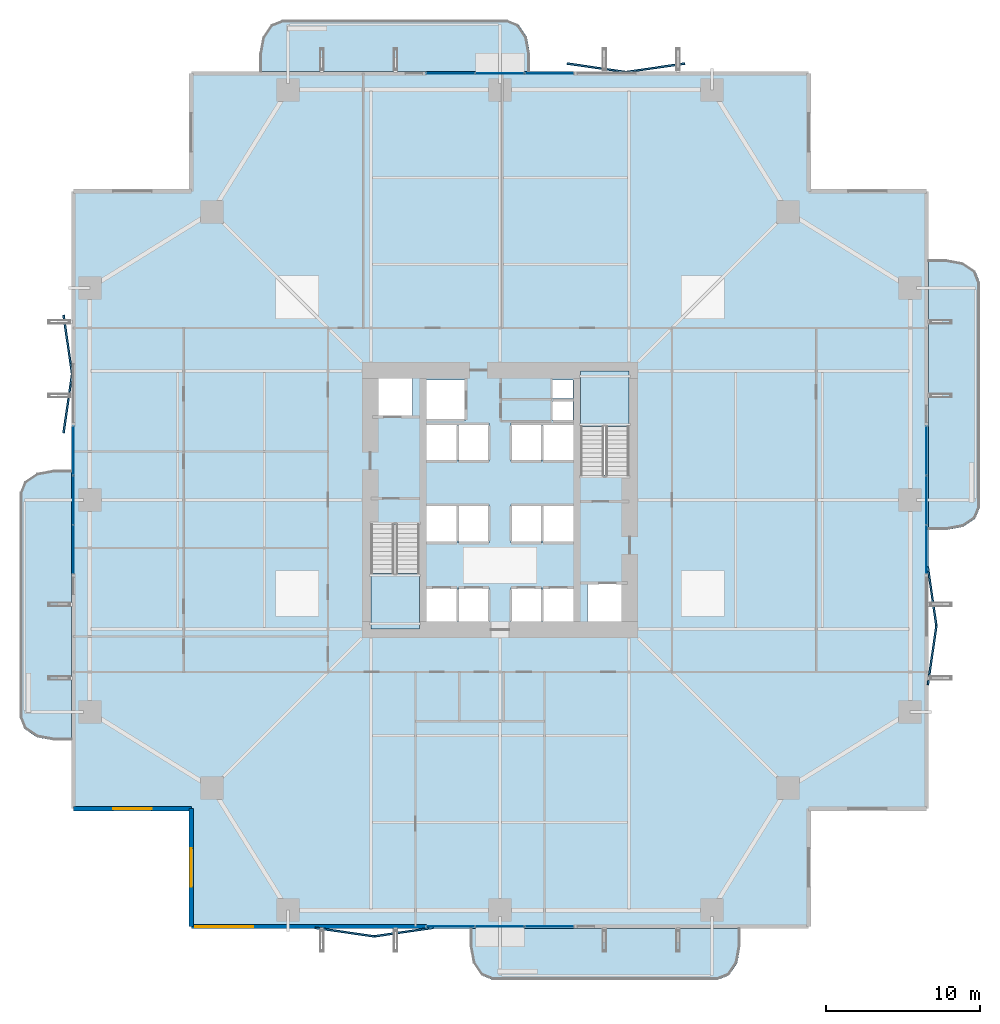
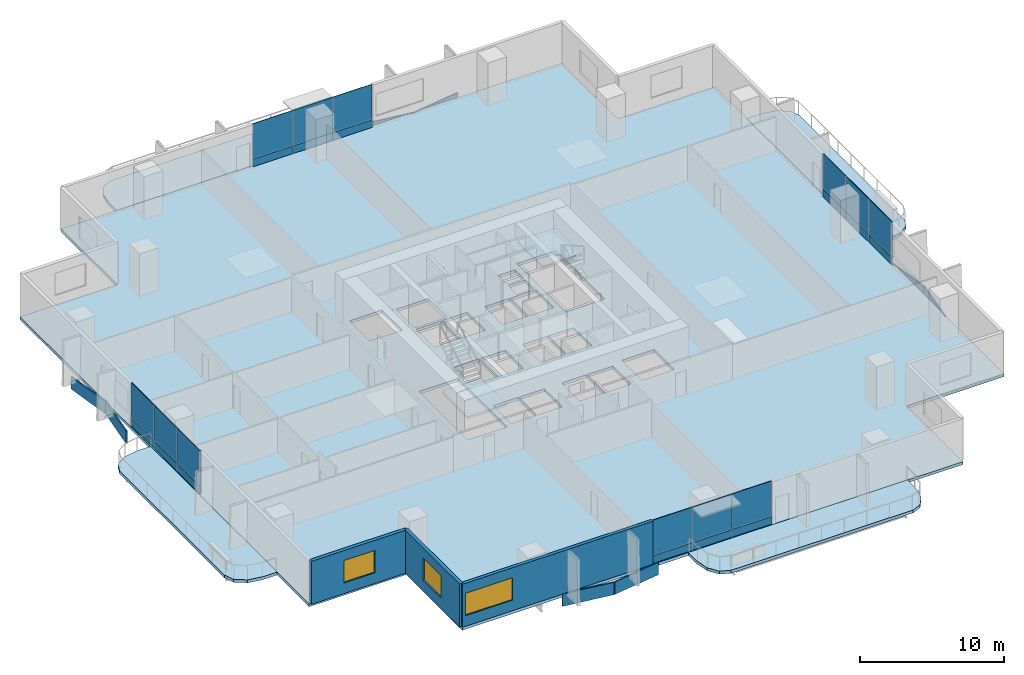
# One storey, part 16 of 24: 32 plates, 7 slabs, 3 walls, 3 windows, 3 openings, 6 elements without a shape of their own.
"""IFC4 building model written with IfcOpenShell, lengths in metres."""

from ifc_helpers import new_model, si_unit, direction, frame, frame_2d, origin, origin_2d, place, context, subcontext, project, spatial, polyline, rectangle, outline, extrude, material, layer, layer_set, type_object, element, fill, aggregate, save


model = new_model("IFC4")

# Units and contexts
model_context = context("Model", 3, precision=1e-05, world=origin(), true_north=direction((0.0, 1.0)))
body_context = subcontext(model_context, "Body", "Model", "MODEL_VIEW")
ifc_project = project(units=[si_unit("LENGTHUNIT", "METRE"), si_unit("AREAUNIT", "SQUARE_METRE"), si_unit("VOLUMEUNIT", "CUBIC_METRE"), si_unit("PLANEANGLEUNIT", "RADIAN"), si_unit("MASSUNIT", "GRAM", prefix="KILO")], contexts=[model_context])

# Site, building, storey
site_placement = place(None, origin())
site = spatial("IfcSite", under=ifc_project, at=site_placement, CompositionType="ELEMENT")
building_placement = place(site_placement, origin())
building = spatial("IfcBuilding", under=site, at=building_placement, Name="Belovzor Exchange Tower", CompositionType="ELEMENT")
storey_placement = place(building_placement, frame((0.0, 0.0, 80.699951171875)))
storey = spatial("IfcBuildingStorey", under=building, at=storey_placement, Name="L19", CompositionType="ELEMENT", Elevation=80.699951171875)

# Slab
ifc_material_1 = material(Name="Concrete C40/50", Category="concrete")
ifc_layer_1 = layer(ifc_material_1, 0.25)
ifc_layer_set_1 = layer_set([ifc_layer_1], Name="Concrete C40/50")
slab_type_1 = type_object("IfcSlabType", Name="Composite Concrete Floor Deck Slab 250", PredefinedType="FLOOR", material=ifc_layer_set_1)
slab_1_placement = place(storey_placement, frame((0.0, 0.0, -0.25)))
element("IfcSlab", 1, at=slab_1_placement, inside=storey, type_object=slab_type_1, Name="SL-F250 Structural Slab L19", PredefinedType="FLOOR", context=body_context, shape_type="SweptSolid", body=[
    extrude(outline(polyline([(8.699951171875, 0.89990234375), (48.89990234375, 0.89990234375), (48.89990234375, 8.699951171875), (56.699951171875, 8.699951171875), (56.699951171875, 48.89990234375), (48.89990234375, 48.89990234375), (48.89990234375, 56.699951171875), (8.699951171875, 56.699951171875), (8.699951171875, 48.89990234375), (0.89990234375, 48.89990234375), (0.89990234375, 8.699951171875), (8.699951171875, 8.699951171875), (8.699951171875, 0.89990234375)]), holes=[polyline([(20.39990234375, 27.175048828125), (20.39990234375, 20.39990234375), (23.550048828125, 20.39990234375), (23.550048828125, 27.175048828125), (20.39990234375, 27.175048828125)]), polyline([(37.199951171875, 30.425048828125), (37.199951171875, 37.199951171875), (34.050048828125, 37.199951171875), (34.050048828125, 30.425048828125), (37.199951171875, 30.425048828125)]), polyline([(20.5, 34.199951171875), (23.10009765625, 34.199951171875), (23.10009765625, 37.0), (20.5, 37.0), (20.5, 34.199951171875)]), polyline([(34.5, 20.60009765625), (37.10009765625, 20.60009765625), (37.10009765625, 23.39990234375), (34.5, 23.39990234375), (34.5, 20.60009765625)]), polyline([(24.0, 34.0), (26.60009765625, 34.0), (26.60009765625, 36.60009765625), (24.0, 36.60009765625), (24.0, 34.0)]), polyline([(24.0, 20.60009765625), (26.0, 20.60009765625), (26.0, 23.10009765625), (24.0, 23.10009765625), (24.0, 20.60009765625)]), polyline([(26.10009765625, 20.60009765625), (28.10009765625, 20.60009765625), (28.10009765625, 23.10009765625), (26.10009765625, 23.10009765625), (26.10009765625, 20.60009765625)]), polyline([(29.5, 20.60009765625), (31.5, 20.60009765625), (31.5, 23.10009765625), (29.5, 23.10009765625), (29.5, 20.60009765625)]), polyline([(31.60009765625, 20.60009765625), (33.60009765625, 20.60009765625), (33.60009765625, 23.10009765625), (31.60009765625, 23.10009765625), (31.60009765625, 20.60009765625)]), polyline([(24.0, 26.0), (26.0, 26.0), (26.0, 28.5), (24.0, 28.5), (24.0, 26.0)]), polyline([(26.10009765625, 26.0), (28.10009765625, 26.0), (28.10009765625, 28.5), (26.10009765625, 28.5), (26.10009765625, 26.0)]), polyline([(29.5, 26.0), (31.5, 26.0), (31.5, 28.5), (29.5, 28.5), (29.5, 26.0)]), polyline([(31.60009765625, 26.0), (33.60009765625, 26.0), (33.60009765625, 28.5), (31.60009765625, 28.5), (31.60009765625, 26.0)]), polyline([(24.0, 31.300048828125), (26.0, 31.300048828125), (26.0, 33.800048828125), (24.0, 33.800048828125), (24.0, 31.300048828125)]), polyline([(26.10009765625, 31.300048828125), (28.10009765625, 31.300048828125), (28.10009765625, 33.800048828125), (26.10009765625, 33.800048828125), (26.10009765625, 31.300048828125)]), polyline([(29.5, 31.300048828125), (31.5, 31.300048828125), (31.5, 33.800048828125), (29.5, 33.800048828125), (29.5, 31.300048828125)]), polyline([(31.60009765625, 31.300048828125), (33.60009765625, 31.300048828125), (33.60009765625, 33.800048828125), (31.60009765625, 33.800048828125), (31.60009765625, 31.300048828125)]), polyline([(32.199951171875, 34.0), (33.550048828125, 34.0), (33.550048828125, 35.199951171875), (32.199951171875, 35.199951171875), (32.199951171875, 34.0)]), polyline([(32.199951171875, 35.39990234375), (33.550048828125, 35.39990234375), (33.550048828125, 36.60009765625), (32.199951171875, 36.60009765625), (32.199951171875, 35.39990234375)])]), origin(), (0.0, 0.0, 1.0), 0.25),
])

# Plates
ifc_material_2 = material(Name="Extruded Architectural Terracotta", Category="masonry")
ifc_layer_2 = layer(ifc_material_2, 0.1201171875)
ifc_layer_set_2 = layer_set([ifc_layer_2], Name="Extruded Architectural Terracotta")
plate_type_1 = type_object("IfcPlateType", Name="Folded Zigzag Terracotta Spandrel Louvre 80", PredefinedType="USERDEFINED", material=ifc_layer_set_2)
for number, where, z_axis, x_axis, name in (
    (2, (18.699951171875, 0.6650390625, -1.03515625), (0.0, 0.0, 1.0), (0.989686419138, -0.143250800258, 0.0), "LVR-ZZ1 Zigzag Terracotta Spandrel Louvre L19 S1A"),
    (3, (22.5, 0.6650390625, -1.03515625), (0.0, 0.0, 1.0), (0.989686419138, 0.143250800258, 0.0), "LVR-ZZ1 Zigzag Terracotta Spandrel Louvre L19 S1B"),
    (4, (56.93505859375, 18.699951171875, -1.03515625), (0.0, 0.0, 1.0), (0.143250800258, 0.989686419138, 0.0), "LVR-ZZ1 Zigzag Terracotta Spandrel Louvre L19 E1A"),
    (5, (56.93505859375, 22.5, -1.03515625), (0.0, 0.0, 1.0), (-0.143250800258, 0.989686419138, 0.0), "LVR-ZZ1 Zigzag Terracotta Spandrel Louvre L19 E1B"),
    (6, (35.10009765625, 56.93505859375, -1.03515625), (0.0, 0.0, 1.0), (0.989686419138, -0.143250800258, 0.0), "LVR-ZZ1 Zigzag Terracotta Spandrel Louvre L19 N2A"),
    (7, (38.89990234375, 56.93505859375, -1.03515625), (0.0, 0.0, 1.0), (0.989686419138, 0.143250800258, 0.0), "LVR-ZZ1 Zigzag Terracotta Spandrel Louvre L19 N2B"),
    (8, (0.6650390625, 35.10009765625, -1.03515625), (0.0, 0.0, 1.0), (0.143250800258, 0.989686419138, 0.0), "LVR-ZZ1 Zigzag Terracotta Spandrel Louvre L19 W2A"),
    (9, (0.6650390625, 38.89990234375, -1.03515625), (0.0, 0.0, 1.0), (-0.143250800258, 0.989686419138, 0.0), "LVR-ZZ1 Zigzag Terracotta Spandrel Louvre L19 W2B"),
):
    element("IfcPlate", number, at=place(storey_placement, frame(where, z_axis=z_axis, x_axis=x_axis)), inside=storey, type_object=plate_type_1, Name=name, ObjectType="SPANDREL_LOUVRE", PredefinedType="USERDEFINED", context=body_context, shape_type="SweptSolid", body=[
        extrude(rectangle(XDim=3.919921875, YDim=0.1201171875, at=origin_2d()), origin(), (0.0, 0.0, 1.0), 1.050048828125),
    ])

# Curtain wall, plates
ifc_material_3 = material(Name="Anodised Aluminium Framing", Category="aluminium")
ifc_layer_3 = layer(ifc_material_3, 0.179931640625)
ifc_layer_set_3 = layer_set([ifc_layer_3], Name="Anodised Aluminium Framing")
curtain_wall_type = type_object("IfcCurtainWallType", Name="Recessed Loggia Low-Iron Triple-Glazed Curtain Wall", PredefinedType="NOTDEFINED", material=ifc_layer_set_3)
curtain_wall_1_placement = place(storey_placement, origin())
curtain_wall_1 = element("IfcCurtainWall", 10, at=curtain_wall_1_placement, inside=storey, type_object=curtain_wall_type, Name="CW3 Recessed Loggia Low-Iron Triple-Glazed Curtain Wall L19", PredefinedType="NOTDEFINED")
ifc_material_4 = material(Name="Solar-Control Triple Glazing", Category="glass")
ifc_layer_4 = layer(ifc_material_4, 0.0439453125)
ifc_layer_set_4 = layer_set([ifc_layer_4], Name="Solar-Control Triple Glazing")
plate_type_2 = type_object("IfcPlateType", Name="Insulated Solar Glazing Curtain Panel 44", PredefinedType="CURTAIN_PANEL", material=ifc_layer_set_4)
plate_1_placement = place(storey_placement, frame((32.0, 1.030029296875, 0.652099609375), z_axis=(0.0, 0.0, 1.0), x_axis=(-1.0, 0.0, 0.0)))
plate_1 = element("IfcPlate", 11, at=plate_1_placement, type_object=plate_type_2, Name="GLZ-44 Glazed Curtain Panel 1", PredefinedType="CURTAIN_PANEL", context=body_context, shape_type="SweptSolid", body=[
    extrude(rectangle(XDim=3.18408203125, YDim=0.0439453125, at=origin_2d()), origin(), (0.0, 0.0, 1.0), 2.998046875),
])
plate_2_placement = place(storey_placement, frame((28.800048828125, 1.030029296875, 0.652099609375), z_axis=(0.0, 0.0, 1.0), x_axis=(-1.0, 0.0, 0.0)))
plate_2 = element("IfcPlate", 12, at=plate_2_placement, type_object=plate_type_2, Name="GLZ-44 Glazed Curtain Panel 2", PredefinedType="CURTAIN_PANEL", context=body_context, shape_type="SweptSolid", body=[
    extrude(rectangle(XDim=3.18408203125, YDim=0.0439453125, at=origin_2d()), origin(), (0.0, 0.0, 1.0), 2.998046875),
])
plate_3_placement = place(storey_placement, frame((25.60009765625, 1.030029296875, 0.652099609375), z_axis=(0.0, 0.0, 1.0), x_axis=(-1.0, 0.0, 0.0)))
plate_3 = element("IfcPlate", 13, at=plate_3_placement, type_object=plate_type_2, Name="GLZ-44 Glazed Curtain Panel 3", PredefinedType="CURTAIN_PANEL", context=body_context, shape_type="SweptSolid", body=[
    extrude(rectangle(XDim=3.18408203125, YDim=0.0439453125, at=origin_2d()), origin(), (0.0, 0.0, 1.0), 2.998046875),
])

curtain_wall_2_placement = place(storey_placement, origin())
curtain_wall_2 = element("IfcCurtainWall", 14, at=curtain_wall_2_placement, inside=storey, type_object=curtain_wall_type, Name="CW3 Recessed Loggia Low-Iron Triple-Glazed Curtain Wall L19", PredefinedType="NOTDEFINED")
plate_4_placement = place(storey_placement, frame((25.60009765625, 56.570068359375, 0.652099609375), z_axis=(0.0, 0.0, 1.0), x_axis=(1.0, 0.0, 0.0)))
plate_4 = element("IfcPlate", 15, at=plate_4_placement, type_object=plate_type_2, Name="GLZ-44 Glazed Curtain Panel 1", PredefinedType="CURTAIN_PANEL", context=body_context, shape_type="SweptSolid", body=[
    extrude(rectangle(XDim=3.18408203125, YDim=0.0439453125, at=origin_2d()), origin(), (0.0, 0.0, 1.0), 2.998046875),
])
plate_5_placement = place(storey_placement, frame((28.800048828125, 56.570068359375, 0.652099609375), z_axis=(0.0, 0.0, 1.0), x_axis=(1.0, 0.0, 0.0)))
plate_5 = element("IfcPlate", 16, at=plate_5_placement, type_object=plate_type_2, Name="GLZ-44 Glazed Curtain Panel 2", PredefinedType="CURTAIN_PANEL", context=body_context, shape_type="SweptSolid", body=[
    extrude(rectangle(XDim=3.18408203125, YDim=0.0439453125, at=origin_2d()), origin(), (0.0, 0.0, 1.0), 2.998046875),
])
plate_6_placement = place(storey_placement, frame((32.0, 56.570068359375, 0.652099609375), z_axis=(0.0, 0.0, 1.0), x_axis=(1.0, 0.0, 0.0)))
plate_6 = element("IfcPlate", 17, at=plate_6_placement, type_object=plate_type_2, Name="GLZ-44 Glazed Curtain Panel 3", PredefinedType="CURTAIN_PANEL", context=body_context, shape_type="SweptSolid", body=[
    extrude(rectangle(XDim=3.18408203125, YDim=0.0439453125, at=origin_2d()), origin(), (0.0, 0.0, 1.0), 2.998046875),
])

curtain_wall_3_placement = place(storey_placement, origin())
curtain_wall_3 = element("IfcCurtainWall", 18, at=curtain_wall_3_placement, inside=storey, type_object=curtain_wall_type, Name="CW3 Recessed Loggia Low-Iron Triple-Glazed Curtain Wall L19", PredefinedType="NOTDEFINED")
plate_7_placement = place(storey_placement, frame((1.030029296875, 25.60009765625, 0.652099609375), z_axis=(0.0, 0.0, 1.0), x_axis=(0.0, 1.0, 0.0)))
plate_7 = element("IfcPlate", 19, at=plate_7_placement, type_object=plate_type_2, Name="GLZ-44 Glazed Curtain Panel 1", PredefinedType="CURTAIN_PANEL", context=body_context, shape_type="SweptSolid", body=[
    extrude(rectangle(XDim=3.18408203125, YDim=0.0439453125, at=origin_2d()), origin(), (0.0, 0.0, 1.0), 2.998046875),
])
plate_8_placement = place(storey_placement, frame((1.030029296875, 28.800048828125, 0.652099609375), z_axis=(0.0, 0.0, 1.0), x_axis=(0.0, 1.0, 0.0)))
plate_8 = element("IfcPlate", 20, at=plate_8_placement, type_object=plate_type_2, Name="GLZ-44 Glazed Curtain Panel 2", PredefinedType="CURTAIN_PANEL", context=body_context, shape_type="SweptSolid", body=[
    extrude(rectangle(XDim=3.18408203125, YDim=0.0439453125, at=origin_2d()), origin(), (0.0, 0.0, 1.0), 2.998046875),
])
plate_9_placement = place(storey_placement, frame((1.030029296875, 32.0, 0.652099609375), z_axis=(0.0, 0.0, 1.0), x_axis=(0.0, 1.0, 0.0)))
plate_9 = element("IfcPlate", 21, at=plate_9_placement, type_object=plate_type_2, Name="GLZ-44 Glazed Curtain Panel 3", PredefinedType="CURTAIN_PANEL", context=body_context, shape_type="SweptSolid", body=[
    extrude(rectangle(XDim=3.18408203125, YDim=0.0439453125, at=origin_2d()), origin(), (0.0, 0.0, 1.0), 2.998046875),
])

curtain_wall_4_placement = place(storey_placement, origin())
curtain_wall_4 = element("IfcCurtainWall", 22, at=curtain_wall_4_placement, inside=storey, type_object=curtain_wall_type, Name="CW3 Recessed Loggia Low-Iron Triple-Glazed Curtain Wall L19", PredefinedType="NOTDEFINED")
plate_10_placement = place(storey_placement, frame((56.570068359375, 32.0, 0.652099609375), z_axis=(0.0, 0.0, 1.0), x_axis=(0.0, -1.0, 0.0)))
plate_10 = element("IfcPlate", 23, at=plate_10_placement, type_object=plate_type_2, Name="GLZ-44 Glazed Curtain Panel 1", PredefinedType="CURTAIN_PANEL", context=body_context, shape_type="SweptSolid", body=[
    extrude(rectangle(XDim=3.18408203125, YDim=0.0439453125, at=origin_2d()), origin(), (0.0, 0.0, 1.0), 2.998046875),
])
plate_11_placement = place(storey_placement, frame((56.570068359375, 28.800048828125, 0.652099609375), z_axis=(0.0, 0.0, 1.0), x_axis=(0.0, -1.0, 0.0)))
plate_11 = element("IfcPlate", 24, at=plate_11_placement, type_object=plate_type_2, Name="GLZ-44 Glazed Curtain Panel 2", PredefinedType="CURTAIN_PANEL", context=body_context, shape_type="SweptSolid", body=[
    extrude(rectangle(XDim=3.18408203125, YDim=0.0439453125, at=origin_2d()), origin(), (0.0, 0.0, 1.0), 2.998046875),
])
plate_12_placement = place(storey_placement, frame((56.570068359375, 25.60009765625, 0.652099609375), z_axis=(0.0, 0.0, 1.0), x_axis=(0.0, -1.0, 0.0)))
plate_12 = element("IfcPlate", 25, at=plate_12_placement, type_object=plate_type_2, Name="GLZ-44 Glazed Curtain Panel 3", PredefinedType="CURTAIN_PANEL", context=body_context, shape_type="SweptSolid", body=[
    extrude(rectangle(XDim=3.18408203125, YDim=0.0439453125, at=origin_2d()), origin(), (0.0, 0.0, 1.0), 2.998046875),
])

# Stair, slab
ifc_material_5 = material(Name="Concrete C40/50", Category="concrete")
stair_type = type_object("IfcStairType", Name="Reinforced Concrete Dogleg Escape Stair 1350", PredefinedType="HALF_TURN_STAIR", material=ifc_material_5)
stair_1_placement = place(storey_placement, origin())
stair_1 = element("IfcStair", 26, at=stair_1_placement, inside=storey, type_object=stair_type, Name="L19 ST-1", PredefinedType="HALF_TURN_STAIR")
ifc_material_6 = material(Name="Concrete C40/50", Category="concrete")
ifc_layer_5 = layer(ifc_material_6, 0.199951171875)
ifc_layer_set_5 = layer_set([ifc_layer_5], Name="Concrete C40/50")
slab_type_2 = type_object("IfcSlabType", Name="Reinforced Concrete Stair Half-Landing Slab 200", PredefinedType="LANDING", material=ifc_layer_set_5)
slab_2_placement = place(storey_placement, frame((0.0, 0.0, 1.75)))
slab_2 = element("IfcSlab", 27, at=slab_2_placement, type_object=slab_type_2, Name="ST-1 landing 1", PredefinedType="LANDING", context=body_context, shape_type="SweptSolid", body=[
    extrude(outline(polyline([(20.39990234375, 24.010009765625), (20.39990234375, 20.39990234375), (23.550048828125, 20.39990234375), (23.550048828125, 24.010009765625), (20.39990234375, 24.010009765625)])), origin(), (0.0, 0.0, 1.0), 0.199951171875),
])
aggregate(stair_1, [slab_2])

stair_2_placement = place(storey_placement, origin())
stair_2 = element("IfcStair", 28, at=stair_2_placement, inside=storey, type_object=stair_type, Name="L19 ST-2", PredefinedType="HALF_TURN_STAIR")
slab_3_placement = place(storey_placement, frame((0.0, 0.0, 1.75)))
slab_3 = element("IfcSlab", 29, at=slab_3_placement, type_object=slab_type_2, Name="ST-2 landing 1", PredefinedType="LANDING", context=body_context, shape_type="SweptSolid", body=[
    extrude(outline(polyline([(37.199951171875, 33.590087890625), (37.199951171875, 37.199951171875), (34.050048828125, 37.199951171875), (34.050048828125, 33.590087890625), (37.199951171875, 33.590087890625)])), origin(), (0.0, 0.0, 1.0), 0.199951171875),
])
aggregate(stair_2, [slab_3])

# Plate
ifc_material_7 = material(Name="Extruded Architectural Terracotta", Category="masonry")
ifc_layer_6 = layer(ifc_material_7, 0.090087890625)
ifc_layer_set_6 = layer_set([ifc_layer_6], Name="Extruded Architectural Terracotta")
plate_type_3 = type_object("IfcPlateType", Name="Terracotta Shadow-Box Spandrel Panel 90", PredefinedType="CURTAIN_PANEL", material=ifc_layer_set_6)
plate_13_placement = place(storey_placement, frame((32.0, 1.030029296875, 0.0), z_axis=(0.0, 0.0, 1.0), x_axis=(-1.0, 0.0, 0.0)))
plate_13 = element("IfcPlate", 30, at=plate_13_placement, type_object=plate_type_3, Name="SPD-90 Spandrel Panel 1", PredefinedType="CURTAIN_PANEL", context=body_context, shape_type="SweptSolid", body=[
    extrude(rectangle(XDim=3.18408203125, YDim=0.090087890625, at=origin_2d()), origin(), (0.0, 0.0, 1.0), 0.64794921875),
])

plate_14_placement = place(storey_placement, frame((28.800048828125, 1.030029296875, 0.0), z_axis=(0.0, 0.0, 1.0), x_axis=(-1.0, 0.0, 0.0)))
plate_14 = element("IfcPlate", 31, at=plate_14_placement, type_object=plate_type_3, Name="SPD-90 Spandrel Panel 2", PredefinedType="CURTAIN_PANEL", context=body_context, shape_type="SweptSolid", body=[
    extrude(rectangle(XDim=3.18408203125, YDim=0.090087890625, at=origin_2d()), origin(), (0.0, 0.0, 1.0), 0.64794921875),
])

plate_15_placement = place(storey_placement, frame((25.60009765625, 1.030029296875, 0.0), z_axis=(0.0, 0.0, 1.0), x_axis=(-1.0, 0.0, 0.0)))
plate_15 = element("IfcPlate", 32, at=plate_15_placement, type_object=plate_type_3, Name="SPD-90 Spandrel Panel 3", PredefinedType="CURTAIN_PANEL", context=body_context, shape_type="SweptSolid", body=[
    extrude(rectangle(XDim=3.18408203125, YDim=0.090087890625, at=origin_2d()), origin(), (0.0, 0.0, 1.0), 0.64794921875),
])

aggregate(curtain_wall_1, [plate_13, plate_1, plate_14, plate_2, plate_15, plate_3])

plate_16_placement = place(storey_placement, frame((25.60009765625, 56.570068359375, 0.0), z_axis=(0.0, 0.0, 1.0), x_axis=(1.0, 0.0, 0.0)))
plate_16 = element("IfcPlate", 33, at=plate_16_placement, type_object=plate_type_3, Name="SPD-90 Spandrel Panel 1", PredefinedType="CURTAIN_PANEL", context=body_context, shape_type="SweptSolid", body=[
    extrude(rectangle(XDim=3.18408203125, YDim=0.090087890625, at=origin_2d()), origin(), (0.0, 0.0, 1.0), 0.64794921875),
])

plate_17_placement = place(storey_placement, frame((28.800048828125, 56.570068359375, 0.0), z_axis=(0.0, 0.0, 1.0), x_axis=(1.0, 0.0, 0.0)))
plate_17 = element("IfcPlate", 34, at=plate_17_placement, type_object=plate_type_3, Name="SPD-90 Spandrel Panel 2", PredefinedType="CURTAIN_PANEL", context=body_context, shape_type="SweptSolid", body=[
    extrude(rectangle(XDim=3.18408203125, YDim=0.090087890625, at=origin_2d()), origin(), (0.0, 0.0, 1.0), 0.64794921875),
])

plate_18_placement = place(storey_placement, frame((32.0, 56.570068359375, 0.0), z_axis=(0.0, 0.0, 1.0), x_axis=(1.0, 0.0, 0.0)))
plate_18 = element("IfcPlate", 35, at=plate_18_placement, type_object=plate_type_3, Name="SPD-90 Spandrel Panel 3", PredefinedType="CURTAIN_PANEL", context=body_context, shape_type="SweptSolid", body=[
    extrude(rectangle(XDim=3.18408203125, YDim=0.090087890625, at=origin_2d()), origin(), (0.0, 0.0, 1.0), 0.64794921875),
])

aggregate(curtain_wall_2, [plate_16, plate_4, plate_17, plate_5, plate_18, plate_6])

plate_19_placement = place(storey_placement, frame((1.030029296875, 25.60009765625, 0.0), z_axis=(0.0, 0.0, 1.0), x_axis=(0.0, 1.0, 0.0)))
plate_19 = element("IfcPlate", 36, at=plate_19_placement, type_object=plate_type_3, Name="SPD-90 Spandrel Panel 1", PredefinedType="CURTAIN_PANEL", context=body_context, shape_type="SweptSolid", body=[
    extrude(rectangle(XDim=3.18408203125, YDim=0.090087890625, at=origin_2d()), origin(), (0.0, 0.0, 1.0), 0.64794921875),
])

plate_20_placement = place(storey_placement, frame((1.030029296875, 28.800048828125, 0.0), z_axis=(0.0, 0.0, 1.0), x_axis=(0.0, 1.0, 0.0)))
plate_20 = element("IfcPlate", 37, at=plate_20_placement, type_object=plate_type_3, Name="SPD-90 Spandrel Panel 2", PredefinedType="CURTAIN_PANEL", context=body_context, shape_type="SweptSolid", body=[
    extrude(rectangle(XDim=3.18408203125, YDim=0.090087890625, at=origin_2d()), origin(), (0.0, 0.0, 1.0), 0.64794921875),
])

plate_21_placement = place(storey_placement, frame((1.030029296875, 32.0, 0.0), z_axis=(0.0, 0.0, 1.0), x_axis=(0.0, 1.0, 0.0)))
plate_21 = element("IfcPlate", 38, at=plate_21_placement, type_object=plate_type_3, Name="SPD-90 Spandrel Panel 3", PredefinedType="CURTAIN_PANEL", context=body_context, shape_type="SweptSolid", body=[
    extrude(rectangle(XDim=3.18408203125, YDim=0.090087890625, at=origin_2d()), origin(), (0.0, 0.0, 1.0), 0.64794921875),
])

aggregate(curtain_wall_3, [plate_19, plate_7, plate_20, plate_8, plate_21, plate_9])

plate_22_placement = place(storey_placement, frame((56.570068359375, 32.0, 0.0), z_axis=(0.0, 0.0, 1.0), x_axis=(0.0, -1.0, 0.0)))
plate_22 = element("IfcPlate", 39, at=plate_22_placement, type_object=plate_type_3, Name="SPD-90 Spandrel Panel 1", PredefinedType="CURTAIN_PANEL", context=body_context, shape_type="SweptSolid", body=[
    extrude(rectangle(XDim=3.18408203125, YDim=0.090087890625, at=origin_2d()), origin(), (0.0, 0.0, 1.0), 0.64794921875),
])

plate_23_placement = place(storey_placement, frame((56.570068359375, 28.800048828125, 0.0), z_axis=(0.0, 0.0, 1.0), x_axis=(0.0, -1.0, 0.0)))
plate_23 = element("IfcPlate", 40, at=plate_23_placement, type_object=plate_type_3, Name="SPD-90 Spandrel Panel 2", PredefinedType="CURTAIN_PANEL", context=body_context, shape_type="SweptSolid", body=[
    extrude(rectangle(XDim=3.18408203125, YDim=0.090087890625, at=origin_2d()), origin(), (0.0, 0.0, 1.0), 0.64794921875),
])

plate_24_placement = place(storey_placement, frame((56.570068359375, 25.60009765625, 0.0), z_axis=(0.0, 0.0, 1.0), x_axis=(0.0, -1.0, 0.0)))
plate_24 = element("IfcPlate", 41, at=plate_24_placement, type_object=plate_type_3, Name="SPD-90 Spandrel Panel 3", PredefinedType="CURTAIN_PANEL", context=body_context, shape_type="SweptSolid", body=[
    extrude(rectangle(XDim=3.18408203125, YDim=0.090087890625, at=origin_2d()), origin(), (0.0, 0.0, 1.0), 0.64794921875),
])

aggregate(curtain_wall_4, [plate_22, plate_10, plate_23, plate_11, plate_24, plate_12])

# Slabs
ifc_material_8 = material(Name="Concrete C40/50", Category="concrete")
ifc_layer_7 = layer(ifc_material_8, 0.25)
ifc_layer_set_7 = layer_set([ifc_layer_7], Name="Concrete C40/50")
slab_type_3 = type_object("IfcSlabType", Name="Thermally Broken Planted Balcony Slab 250", PredefinedType="FLOOR", material=ifc_layer_set_7)
slab_4_placement = place(storey_placement, frame((0.0, 0.0, -0.25)))
element("IfcSlab", 42, at=slab_4_placement, inside=storey, type_object=slab_type_3, Name="SL-BAL220 Planted Balcony Loggia L19 South", PredefinedType="FLOOR", context=body_context, shape_type="SweptSolid", body=[
    extrude(outline(polyline([(26.85009765625, 0.9150390625), (26.85009765625, -0.25), (27.051025390625, -1.35009765625), (27.60009765625, -2.155029296875), (28.35009765625, -2.449951171875), (42.949951171875, -2.449951171875), (43.699951171875, -2.155029296875), (44.2490234375, -1.35009765625), (44.449951171875, -0.25), (44.449951171875, 0.9150390625), (26.85009765625, 0.9150390625)])), origin(), (0.0, 0.0, 1.0), 0.25),
])
slab_5_placement = place(storey_placement, frame((0.0, 0.0, -0.25)))
element("IfcSlab", 43, at=slab_5_placement, inside=storey, type_object=slab_type_3, Name="SL-BAL220 Planted Balcony Loggia L19 North", PredefinedType="FLOOR", context=body_context, shape_type="SweptSolid", body=[
    extrude(outline(polyline([(30.75, 56.68505859375), (30.75, 57.85009765625), (30.549072265625, 58.949951171875), (30.0, 59.7548828125), (29.25, 60.050048828125), (14.64990234375, 60.050048828125), (13.89990234375, 59.7548828125), (13.35107421875, 58.949951171875), (13.14990234375, 57.85009765625), (13.14990234375, 56.68505859375), (30.75, 56.68505859375)])), origin(), (0.0, 0.0, 1.0), 0.25),
])
slab_6_placement = place(storey_placement, frame((0.0, 0.0, -0.25)))
element("IfcSlab", 44, at=slab_6_placement, inside=storey, type_object=slab_type_3, Name="SL-BAL220 Planted Balcony Loggia L19 East", PredefinedType="FLOOR", context=body_context, shape_type="SweptSolid", body=[
    extrude(outline(polyline([(56.68505859375, 26.85009765625), (57.85009765625, 26.85009765625), (58.949951171875, 27.051025390625), (59.7548828125, 27.60009765625), (60.050048828125, 28.35009765625), (60.050048828125, 42.949951171875), (59.7548828125, 43.699951171875), (58.949951171875, 44.2490234375), (57.85009765625, 44.449951171875), (56.68505859375, 44.449951171875), (56.68505859375, 26.85009765625)])), origin(), (0.0, 0.0, 1.0), 0.25),
])
slab_7_placement = place(storey_placement, frame((0.0, 0.0, -0.25)))
element("IfcSlab", 45, at=slab_7_placement, inside=storey, type_object=slab_type_3, Name="SL-BAL220 Planted Balcony Loggia L19 West", PredefinedType="FLOOR", context=body_context, shape_type="SweptSolid", body=[
    extrude(outline(polyline([(0.9150390625, 30.75), (-0.25, 30.75), (-1.35009765625, 30.549072265625), (-2.155029296875, 30.0), (-2.449951171875, 29.25), (-2.449951171875, 14.64990234375), (-2.155029296875, 13.89990234375), (-1.35009765625, 13.35107421875), (-0.25, 13.14990234375), (0.9150390625, 13.14990234375), (0.9150390625, 30.75)])), origin(), (0.0, 0.0, 1.0), 0.25),
])

# Wall, opening, window
ifc_material_9 = material(Name="Precast concrete C40/50", Category="concrete")
ifc_layer_8 = layer(ifc_material_9, 0.280029296875)
ifc_layer_set_8 = layer_set([ifc_layer_8], Name="Precast concrete C40/50")
wall_type_1 = type_object("IfcWallType", Name="Precast Concrete Notched Corner Frame Wall 280", PredefinedType="SOLIDWALL", material=ifc_layer_set_8)
wall_1_placement = place(storey_placement, frame((8.699951171875, 1.030029296875, 0.0), z_axis=(0.0, 0.0, 1.0), x_axis=(0.0, 1.0, 0.0)))
wall_1 = element("IfcWall", 46, at=wall_1_placement, inside=storey, type_object=wall_type_1, Name="W-CRN280 Precast Concrete Notched Corner Frame Wall 280 L19", PredefinedType="SOLIDWALL", context=body_context, shape_type="SweptSolid", body=[
    extrude(rectangle(XDim=7.669921875, YDim=0.280029296875, at=frame_2d((3.8349609375, 0.0))), origin(), (0.0, 0.0, 1.0), 3.650146484375),
])
opening_1_placement = place(wall_1_placement, frame((2.5849609375, 0.0, 0.89990234375)))
opening_1 = element("IfcOpeningElement", 47, at=opening_1_placement, cuts=wall_1, Name="Opening WN-CRN250", PredefinedType="OPENING", context=body_context, shape_type="SweptSolid", body=[
    extrude(rectangle(XDim=2.5, YDim=1.89990234375, at=frame_2d((1.25, 0.949951171875))), frame((0.0, 0.14990234375, 0.0), z_axis=(0.0, -1.0, 0.0), x_axis=(1.0, 0.0, 0.0)), (0.0, 0.0, 1.0), 0.300048828125),
])
ifc_material_10 = material(Name="Thermally Broken Aluminium and Triple Glazing", Category="aluminium")
window_type_1 = type_object("IfcWindowType", Name="Streamline Moderne Corner Wrap Ribbon Window 2500x1900", PartitioningType="SINGLE_PANEL", PredefinedType="WINDOW", material=ifc_material_10)
window_1_placement = place(opening_1_placement, origin())
window_1 = element("IfcWindow", 48, at=window_1_placement, inside=storey, type_object=window_type_1, Name="WN-CRN250 Streamline Moderne Corner Wrap Ribbon Window 2500x1900", OverallHeight=1.89990234375, OverallWidth=2.5, PartitioningType="SINGLE_PANEL", PredefinedType="WINDOW", context=body_context, shape_type="SweptSolid", body=[
    extrude(rectangle(XDim=2.5, YDim=1.89990234375, at=frame_2d((1.25, 0.949951171875))), frame((0.0, 0.030029296875, 0.0), z_axis=(0.0, -1.0, 0.0), x_axis=(1.0, 0.0, 0.0)), (0.0, 0.0, 1.0), 0.06005859375),
])
fill(opening_1, window_1)

wall_2_placement = place(storey_placement, frame((8.699951171875, 8.699951171875, 0.0), z_axis=(0.0, 0.0, 1.0), x_axis=(-1.0, 0.0, 0.0)))
wall_2 = element("IfcWall", 49, at=wall_2_placement, inside=storey, type_object=wall_type_1, Name="W-CRN280 Precast Concrete Notched Corner Frame Wall 280 L19", PredefinedType="SOLIDWALL", context=body_context, shape_type="SweptSolid", body=[
    extrude(rectangle(XDim=7.669921875, YDim=0.280029296875, at=frame_2d((3.8349609375, 0.0))), origin(), (0.0, 0.0, 1.0), 3.650146484375),
])
opening_2_placement = place(wall_2_placement, frame((2.5849609375, 0.0, 0.89990234375)))
opening_2 = element("IfcOpeningElement", 50, at=opening_2_placement, cuts=wall_2, Name="Opening WN-CRN250", PredefinedType="OPENING", context=body_context, shape_type="SweptSolid", body=[
    extrude(rectangle(XDim=2.5, YDim=1.89990234375, at=frame_2d((1.25, 0.949951171875))), frame((0.0, 0.14990234375, 0.0), z_axis=(0.0, -1.0, 0.0), x_axis=(1.0, 0.0, 0.0)), (0.0, 0.0, 1.0), 0.300048828125),
])
window_2_placement = place(opening_2_placement, origin())
window_2 = element("IfcWindow", 51, at=window_2_placement, inside=storey, type_object=window_type_1, Name="WN-CRN250 Streamline Moderne Corner Wrap Ribbon Window 2500x1900", OverallHeight=1.89990234375, OverallWidth=2.5, PartitioningType="SINGLE_PANEL", PredefinedType="WINDOW", context=body_context, shape_type="SweptSolid", body=[
    extrude(rectangle(XDim=2.5, YDim=1.89990234375, at=frame_2d((1.25, 0.949951171875))), frame((0.0, 0.030029296875, 0.0), z_axis=(0.0, -1.0, 0.0), x_axis=(1.0, 0.0, 0.0)), (0.0, 0.0, 1.0), 0.06005859375),
])
fill(opening_2, window_2)

ifc_material_11 = material(Name="Precast concrete C40/50", Category="concrete")
ifc_layer_9 = layer(ifc_material_11, 0.260009765625)
ifc_layer_set_9 = layer_set([ifc_layer_9], Name="Precast concrete C40/50")
wall_type_2 = type_object("IfcWallType", Name="Precast Concrete Perimeter Loggia Frame Wall 260", PredefinedType="SOLIDWALL", material=ifc_layer_set_9)
wall_3_placement = place(storey_placement, frame((24.0, 1.030029296875, 0.0), z_axis=(0.0, 0.0, 1.0), x_axis=(-1.0, 0.0, 0.0)))
wall_3 = element("IfcWall", 52, at=wall_3_placement, inside=storey, type_object=wall_type_2, Name="W-EXT260 Precast Concrete Perimeter Loggia Frame Wall 260 L19", PredefinedType="SOLIDWALL", context=body_context, shape_type="SweptSolid", body=[
    extrude(rectangle(XDim=15.300048828125, YDim=0.260009765625, at=frame_2d((7.64990234375, 0.0))), origin(), (0.0, 0.0, 1.0), 3.650146484375),
])
opening_3_placement = place(wall_3_placement, frame((11.25, 0.0, 0.89990234375)))
opening_3 = element("IfcOpeningElement", 53, at=opening_3_placement, cuts=wall_3, Name="Opening WN-RIB380", PredefinedType="OPENING", context=body_context, shape_type="SweptSolid", body=[
    extrude(rectangle(XDim=3.800048828125, YDim=1.89990234375, at=frame_2d((1.89990234375, 0.949951171875))), frame((0.0, 0.139892578125, 0.0), z_axis=(0.0, -1.0, 0.0), x_axis=(1.0, 0.0, 0.0)), (0.0, 0.0, 1.0), 0.280029296875),
])
ifc_material_12 = material(Name="Thermally Broken Aluminium and Triple Glazing", Category="aluminium")
window_type_2 = type_object("IfcWindowType", Name="Streamline Moderne Horizontal Ribbon Window 3800x1900", PartitioningType="SINGLE_PANEL", PredefinedType="WINDOW", material=ifc_material_12)
window_3_placement = place(opening_3_placement, origin())
window_3 = element("IfcWindow", 54, at=window_3_placement, inside=storey, type_object=window_type_2, Name="WN-RIB380 Streamline Moderne Horizontal Ribbon Window 3800x1900", OverallHeight=1.89990234375, OverallWidth=3.800048828125, PartitioningType="SINGLE_PANEL", PredefinedType="WINDOW", context=body_context, shape_type="SweptSolid", body=[
    extrude(rectangle(XDim=3.800048828125, YDim=1.89990234375, at=frame_2d((1.89990234375, 0.949951171875))), frame((0.0, 0.030029296875, 0.0), z_axis=(0.0, -1.0, 0.0), x_axis=(1.0, 0.0, 0.0)), (0.0, 0.0, 1.0), 0.06005859375),
])
fill(opening_3, window_3)

save(model, "model.ifc")
